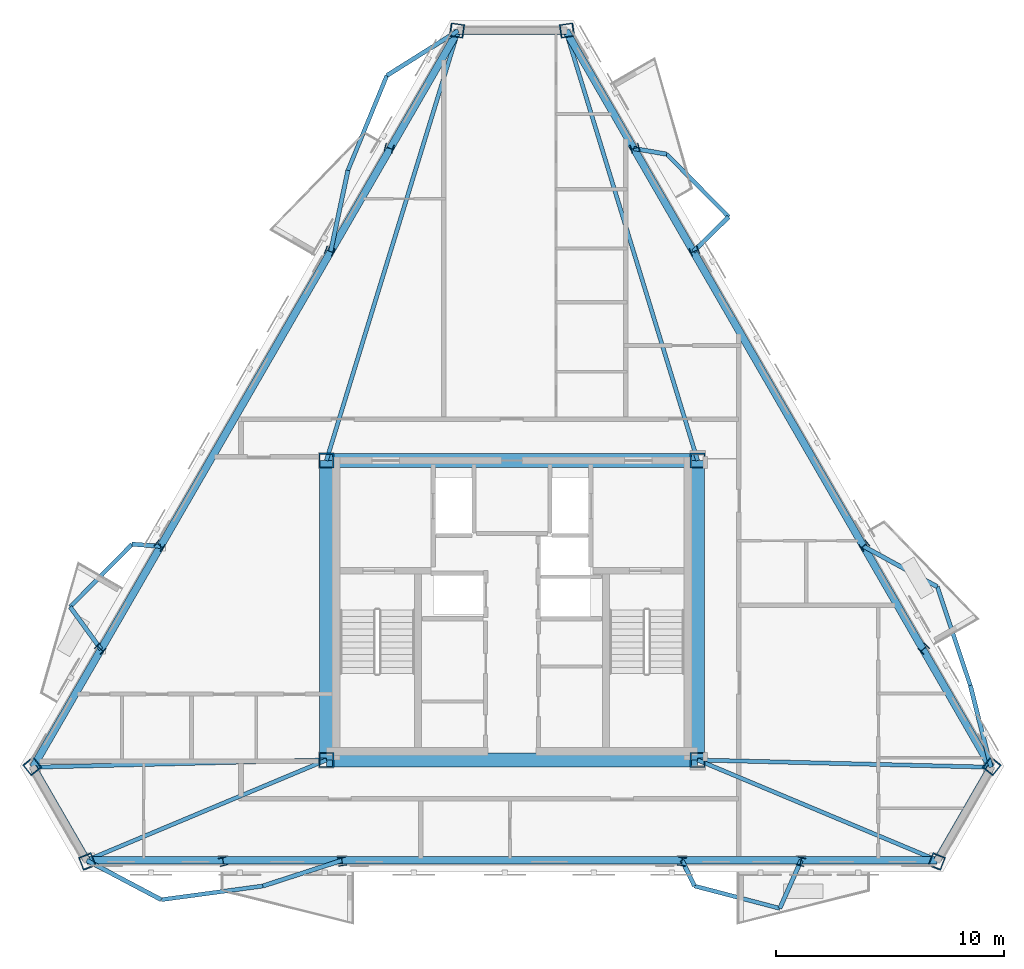
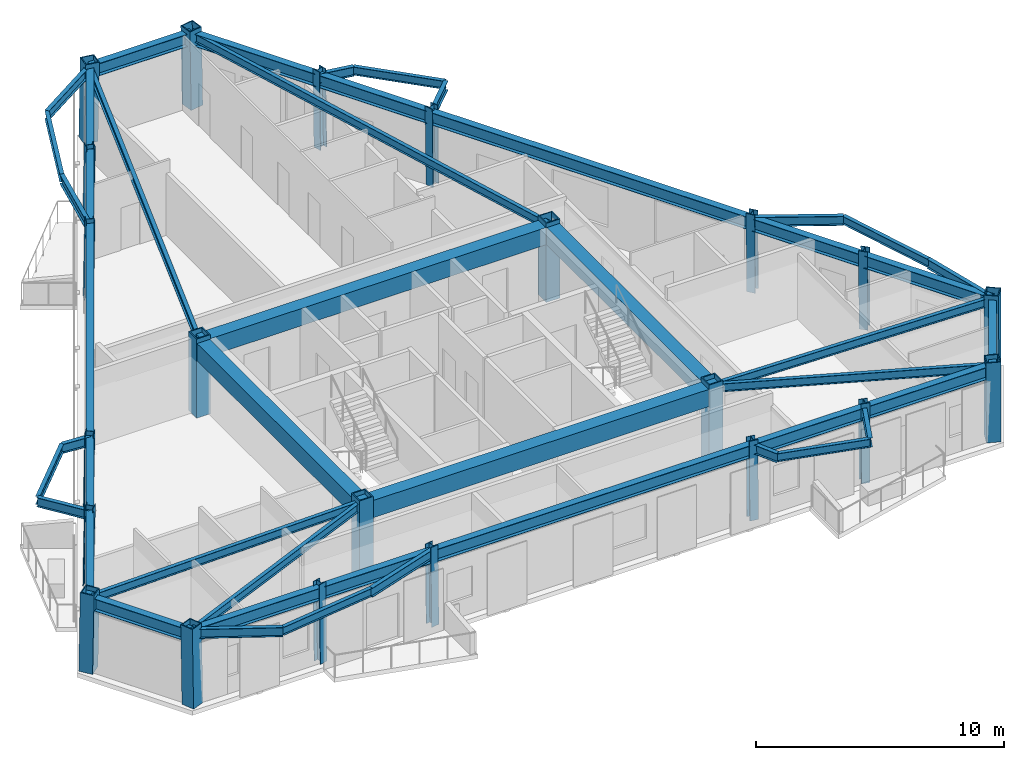
# One storey, part 1 of 9: 46 beams, 22 columns.
"""IFC4 building model written with IfcOpenShell, lengths in metres."""

from ifc_helpers import new_model, si_unit, direction, frame, origin, origin_2d, place, context, subcontext, project, spatial, rectangle, hollow_rectangle, i_section, extrude, material, material_profile, profile_set, type_object, element, save


model = new_model("IFC4")

# Units and contexts
model_context = context("Model", 3, precision=1e-05, world=origin(), true_north=direction((0.0, 1.0)))
body_context = subcontext(model_context, "Body", "Model", "MODEL_VIEW")
ifc_project = project(units=[si_unit("LENGTHUNIT", "METRE"), si_unit("AREAUNIT", "SQUARE_METRE"), si_unit("VOLUMEUNIT", "CUBIC_METRE"), si_unit("PLANEANGLEUNIT", "RADIAN"), si_unit("MASSUNIT", "GRAM", prefix="KILO")], contexts=[model_context])

# Site, building, storey
site_placement = place(None, origin())
site = spatial("IfcSite", under=ifc_project, at=site_placement, CompositionType="ELEMENT")
building_placement = place(site_placement, origin())
building = spatial("IfcBuilding", under=site, at=building_placement, Name="Oramaril Tower", CompositionType="ELEMENT")
storey_placement = place(building_placement, frame((0.0, 0.0, 269.39990234375)))
storey = spatial("IfcBuildingStorey", under=building, at=storey_placement, Name="L71", CompositionType="ELEMENT", Elevation=269.39990234375)

# Columns
ifc_material_1 = material(Name="Steel ASTM A572 Gr 50", Category="steel")
ifc_material_profile_1 = material_profile(ifc_material_1, hollow_rectangle(XDim=0.64990234375, YDim=0.64990234375, WallThickness=0.050048828125, at=origin_2d()), Name="BOX650X650X50")
ifc_profile_set_1 = profile_set([ifc_material_profile_1], Name="Steel ASTM A572 Gr 50")
column_type_1 = type_object("IfcColumnType", Name="CT-CC5", PredefinedType="COLUMN", material=ifc_profile_set_1)
for number, where, z_axis, x_axis, name in (
    (1, (29.35009765625, 11.0, 0.0), (0.0, 0.0, 1.0), (1.0, 0.0, 0.0), "L71 Core Column CC-1"),
    (2, (45.64990234375, 11.0, 0.0), (0.0, 0.0, 1.0), (1.0, 0.0, 0.0), "L71 Core Column CC-2"),
    (3, (45.64990234375, 24.14990234375, 0.0), (0.0, 0.0, 1.0), (1.0, 0.0, 0.0), "L71 Core Column CC-3"),
    (4, (29.35009765625, 24.14990234375, 0.0), (0.0, 0.0, 1.0), (1.0, 0.0, 0.0), "L71 Core Column CC-4"),
):
    element("IfcColumn", number, at=place(storey_placement, frame(where, z_axis=z_axis, x_axis=x_axis)), inside=storey, type_object=column_type_1, Name=name, PredefinedType="COLUMN", context=body_context, shape_type="SweptSolid", body=[
        extrude(hollow_rectangle(XDim=0.64990234375, YDim=0.64990234375, WallThickness=0.050048828125, at=origin_2d()), origin(), (0.0, 0.0, 1.0), 3.900146484375),
    ])
ifc_material_2 = material(Name="Steel ASTM A572 Gr 50", Category="steel")
ifc_material_profile_2 = material_profile(ifc_material_2, hollow_rectangle(XDim=0.60009765625, YDim=0.60009765625, WallThickness=0.044921875, at=origin_2d()), Name="BOX600X600X45")
ifc_profile_set_2 = profile_set([ifc_material_profile_2], Name="Steel ASTM A572 Gr 50")
column_type_2 = type_object("IfcColumnType", Name="CT-TC5", PredefinedType="COLUMN", material=ifc_profile_set_2)
for number, where, z_axis, x_axis, name in (
    (5, (16.42822265625, 10.733154296875, 0.004638671875), (0.010226391035, -0.012861412038, 0.99986499339), (0.782727867859, 0.622364109566, 0.0), "L71 Tube Column TC-01"),
    (6, (18.85205078125, 6.53466796875, 0.004638671875), (-0.006022909049, 0.015245488531, 0.999865640797), (-0.930051989956, -0.367427946649, 0.0), "L71 Tube Column TC-02"),
    (7, (56.14794921875, 6.53466796875, 0.004638671875), (0.006022909049, 0.015245488531, 0.999865640797), (-0.930051989956, 0.367427946649, 0.0), "L71 Tube Column TC-03"),
    (8, (58.57177734375, 10.733154296875, 0.004638671875), (-0.010226391035, -0.012861412038, 0.99986499339), (0.782727867859, -0.622364109566, 0.0), "L71 Tube Column TC-04"),
    (9, (39.923828125, 43.0322265625, 0.004638671875), (-0.016249298391, -0.002384066945, 0.999865129168), (0.145164049408, -0.98940759991, 0.0), "L71 Tube Column TC-05"),
    (10, (35.076171875, 43.0322265625, 0.004638671875), (0.016249298391, -0.002384066945, 0.999865129168), (0.145164049408, 0.98940759991, 0.0), "L71 Tube Column TC-06"),
):
    element("IfcColumn", number, at=place(storey_placement, frame(where, z_axis=z_axis, x_axis=x_axis)), inside=storey, type_object=column_type_2, Name=name, PredefinedType="COLUMN", context=body_context, shape_type="SweptSolid", body=[
        extrude(hollow_rectangle(XDim=0.60009765625, YDim=0.60009765625, WallThickness=0.044921875, at=origin_2d()), origin(), (0.0, 0.0, 1.0), 3.891357421875),
    ])
ifc_material_3 = material(Name="Steel ASTM A572 Gr 50", Category="steel")
ifc_material_profile_3 = material_profile(ifc_material_3, i_section(OverallWidth=0.373046875, OverallDepth=0.373046875, WebThickness=0.016357421875, FlangeThickness=0.026123046875, at=origin_2d()), Name="W14X132")
ifc_profile_set_3 = profile_set([ifc_material_profile_3], Name="Steel ASTM A572 Gr 50")
column_type_3 = type_object("IfcColumnType", Name="CT-TF5", PredefinedType="COLUMN", material=ifc_profile_set_3)
for number, where, z_axis, x_axis, name in (
    (11, (24.8193359375, 6.53466796875, 0.004638671875), (-0.004078051393, 0.015245638284, 0.99987546225), (-0.966036706264, -0.258404880276, 0.0), "L71 Tube Column TC-07"),
    (12, (30.040771484375, 6.53466796875, 0.004638671875), (-0.002384104632, 0.015245721728, 0.999880934919), (-0.987992646494, -0.154500907682, 0.0), "L71 Tube Column TC-08"),
    (13, (44.959228515625, 6.53466796875, 0.004638671875), (0.002384104632, 0.015245721728, 0.999880934919), (-0.987992646494, 0.154500907682, 0.0), "L71 Tube Column TC-09"),
    (14, (50.1806640625, 6.53466796875, 0.004638671875), (0.004078051393, 0.015245638284, 0.99987546225), (-0.966036706264, 0.258404880276, 0.0), "L71 Tube Column TC-10"),
    (15, (55.588134765625, 15.90087890625, 0.004638671875), (-0.011167584825, -0.011167584825, 0.999875277271), (0.707106781187, -0.707106781187, 0.0), "L71 Tube Column TC-11"),
    (16, (52.977294921875, 20.4228515625, 0.004638671875), (-0.011983262451, -0.009724637068, 0.999880909336), (0.630133366333, -0.776486922384, 0.0), "L71 Tube Column TC-12"),
    (17, (45.518310546875, 33.342529296875, 0.004638671875), (-0.01443009767, -0.005583820403, 0.99988028945), (0.360880344311, -0.932612125747, 0.0), "L71 Tube Column TC-13"),
    (18, (42.90771484375, 37.8642578125, 0.004638671875), (-0.015308362863, -0.004078047484, 0.999874503903), (0.257416153679, -0.966300638427, 0.0), "L71 Tube Column TC-14"),
    (19, (32.09228515625, 37.8642578125, 0.004638671875), (0.015308362863, -0.004078047484, 0.999874503903), (0.257416153679, 0.966300638427, 0.0), "L71 Tube Column TC-15"),
    (20, (29.481689453125, 33.342529296875, 0.004638671875), (0.01443009767, -0.005583820403, 0.99988028945), (0.360880344311, 0.932612125747, 0.0), "L71 Tube Column TC-16"),
    (21, (22.022705078125, 20.4228515625, 0.004638671875), (0.011983262451, -0.009724637068, 0.999880909336), (0.630133366333, 0.776486922384, 0.0), "L71 Tube Column TC-17"),
    (22, (19.411865234375, 15.90087890625, 0.004638671875), (0.011167584825, -0.011167584825, 0.999875277271), (0.707106781187, 0.707106781187, 0.0), "L71 Tube Column TC-18"),
):
    element("IfcColumn", number, at=place(storey_placement, frame(where, z_axis=z_axis, x_axis=x_axis)), inside=storey, type_object=column_type_3, Name=name, PredefinedType="COLUMN", context=body_context, shape_type="SweptSolid", body=[
        extrude(i_section(OverallWidth=0.373046875, OverallDepth=0.373046875, WebThickness=0.016357421875, FlangeThickness=0.026123046875, at=origin_2d()), origin(), (0.0, 0.0, 1.0), 3.891357421875),
    ])

# Beams
ifc_material_4 = material(Name="Steel ASTM A572 Gr 50", Category="steel")
ifc_material_profile_4 = material_profile(ifc_material_4, i_section(OverallWidth=0.19091796875, OverallDepth=0.45703125, WebThickness=0.009033203125, FlangeThickness=0.014404296875, at=origin_2d()), Name="W18X50")
ifc_profile_set_4 = profile_set([ifc_material_profile_4], Name="Steel ASTM A572 Gr 50")
beam_type_1 = type_object("IfcBeamType", Name="BT-BB1", PredefinedType="BEAM", material=ifc_profile_set_4)
beam_1_placement = place(storey_placement, frame((18.82861328125, 6.593994140625, 3.45166015625), z_axis=(0.884062224735, -0.467369214644, 0.0), x_axis=(0.467369214644, 0.884062224735, 0.0)))
element("IfcBeam", 23, at=beam_1_placement, inside=storey, type_object=beam_type_1, Name="L71 Balcony Column-Framed Cantilever 01.1", PredefinedType="BEAM", context=body_context, shape_type="SweptSolid", body=[
    extrude(i_section(OverallWidth=0.19091796875, OverallDepth=0.45703125, WebThickness=0.009033203125, FlangeThickness=0.014404296875, at=origin_2d()), origin(), (0.0, 0.0, 1.0), 3.699951171875),
])
beam_2_placement = place(storey_placement, frame((30.031494140625, 6.593994140625, 3.45166015625), z_axis=(-0.951057168147, -0.309014988174, 0.0), x_axis=(0.309014988174, -0.951057168147, 0.0)))
element("IfcBeam", 24, at=beam_2_placement, inside=storey, type_object=beam_type_1, Name="L71 Balcony Column-Framed Cantilever 01.2", PredefinedType="BEAM", context=body_context, shape_type="SweptSolid", body=[
    extrude(i_section(OverallWidth=0.19091796875, OverallDepth=0.45703125, WebThickness=0.009033203125, FlangeThickness=0.014404296875, at=origin_2d()), origin(), (0.0, 0.0, 1.0), 3.650146484375),
])
beam_3_placement = place(storey_placement, frame((44.968505859375, 6.593994140625, 3.45166015625), z_axis=(0.435958037218, -0.89996699372, 0.0), x_axis=(0.89996699372, 0.435958037218, 0.0)))
element("IfcBeam", 25, at=beam_3_placement, inside=storey, type_object=beam_type_1, Name="L71 Balcony Column-Framed Cantilever 02.1", PredefinedType="BEAM", context=body_context, shape_type="SweptSolid", body=[
    extrude(i_section(OverallWidth=0.19091796875, OverallDepth=0.45703125, WebThickness=0.009033203125, FlangeThickness=0.014404296875, at=origin_2d()), origin(), (0.0, 0.0, 1.0), 1.25341796875),
])
beam_4_placement = place(storey_placement, frame((50.196533203125, 6.593994140625, 3.45166015625), z_axis=(-0.406374107637, -0.91370678264, 0.0), x_axis=(0.91370678264, -0.406374107637, 0.0)))
element("IfcBeam", 26, at=beam_4_placement, inside=storey, type_object=beam_type_1, Name="L71 Balcony Column-Framed Cantilever 02.2", PredefinedType="BEAM", context=body_context, shape_type="SweptSolid", body=[
    extrude(i_section(OverallWidth=0.19091796875, OverallDepth=0.45703125, WebThickness=0.009033203125, FlangeThickness=0.014404296875, at=origin_2d()), origin(), (0.0, 0.0, 1.0), 2.306884765625),
])
for number, where, z_axis, x_axis, name in (
    (27, (58.531982421875, 10.68310546875, 3.45166015625), (-0.245329243552, 0.969439818791, 0.0), (-0.969439818791, -0.245329243552, 0.0), "L71 Balcony Column-Framed Cantilever 03.1"),
    (28, (52.9306640625, 20.385009765625, 3.45166015625), (0.876854581944, -0.480755699003, 0.0), (0.480755699003, 0.876854581944, 0.0), "L71 Balcony Column-Framed Cantilever 03.2"),
):
    element("IfcBeam", number, at=place(storey_placement, frame(where, z_axis=z_axis, x_axis=x_axis)), inside=storey, type_object=beam_type_1, Name=name, PredefinedType="BEAM", context=body_context, shape_type="SweptSolid", body=[
        extrude(i_section(OverallWidth=0.19091796875, OverallDepth=0.45703125, WebThickness=0.009033203125, FlangeThickness=0.014404296875, at=origin_2d()), origin(), (0.0, 0.0, 1.0), 3.699951171875),
    ])
beam_5_placement = place(storey_placement, frame((45.462158203125, 33.32080078125, 3.45166015625), z_axis=(0.712801322013, 0.701366006687, 0.0), x_axis=(-0.701366006687, 0.712801322013, 0.0)))
element("IfcBeam", 29, at=beam_5_placement, inside=storey, type_object=beam_type_1, Name="L71 Balcony Column-Framed Cantilever 04.1", PredefinedType="BEAM", context=body_context, shape_type="SweptSolid", body=[
    extrude(i_section(OverallWidth=0.19091796875, OverallDepth=0.45703125, WebThickness=0.009033203125, FlangeThickness=0.014404296875, at=origin_2d()), origin(), (0.0, 0.0, 1.0), 2.177734375),
])
beam_6_placement = place(storey_placement, frame((42.84814453125, 37.848388671875, 3.45166015625), z_axis=(0.985623046851, -0.168959194824, 0.0), x_axis=(0.168959194824, 0.985623046851, 0.0)))
element("IfcBeam", 30, at=beam_6_placement, inside=storey, type_object=beam_type_1, Name="L71 Balcony Column-Framed Cantilever 04.2", PredefinedType="BEAM", context=body_context, shape_type="SweptSolid", body=[
    extrude(i_section(OverallWidth=0.19091796875, OverallDepth=0.45703125, WebThickness=0.009033203125, FlangeThickness=0.014404296875, at=origin_2d()), origin(), (0.0, 0.0, 1.0), 1.466552734375),
])
beam_7_placement = place(storey_placement, frame((35.139404296875, 43.02294921875, 3.45166015625), z_axis=(-0.846787701585, -0.531930999702, 0.0), x_axis=(0.531930999702, -0.846787701585, 0.0)))
element("IfcBeam", 31, at=beam_7_placement, inside=storey, type_object=beam_type_1, Name="L71 Balcony Column-Framed Cantilever 05.1", PredefinedType="BEAM", context=body_context, shape_type="SweptSolid", body=[
    extrude(i_section(OverallWidth=0.19091796875, OverallDepth=0.45703125, WebThickness=0.009033203125, FlangeThickness=0.014404296875, at=origin_2d()), origin(), (0.0, 0.0, 1.0), 3.7001953125),
])
beam_8_placement = place(storey_placement, frame((29.537841796875, 33.32080078125, 3.45166015625), z_axis=(0.207870754456, 0.978156301131, 0.0), x_axis=(-0.978156301131, 0.207870754456, 0.0)))
element("IfcBeam", 32, at=beam_8_placement, inside=storey, type_object=beam_type_1, Name="L71 Balcony Column-Framed Cantilever 05.2", PredefinedType="BEAM", context=body_context, shape_type="SweptSolid", body=[
    extrude(i_section(OverallWidth=0.19091796875, OverallDepth=0.45703125, WebThickness=0.009033203125, FlangeThickness=0.014404296875, at=origin_2d()), origin(), (0.0, 0.0, 1.0), 3.650390625),
])
beam_9_placement = place(storey_placement, frame((22.0693359375, 20.385009765625, 3.45166015625), z_axis=(-0.997371961706, 0.072451155976, 0.0), x_axis=(-0.072451155976, -0.997371961706, 0.0)))
element("IfcBeam", 33, at=beam_9_placement, inside=storey, type_object=beam_type_1, Name="L71 Balcony Column-Framed Cantilever 06.1", PredefinedType="BEAM", context=body_context, shape_type="SweptSolid", body=[
    extrude(i_section(OverallWidth=0.19091796875, OverallDepth=0.45703125, WebThickness=0.009033203125, FlangeThickness=0.014404296875, at=origin_2d()), origin(), (0.0, 0.0, 1.0), 1.25341796875),
])
beam_10_placement = place(storey_placement, frame((19.455322265625, 15.857421875, 3.45166015625), z_axis=(-0.588133945908, 0.808763538787, 0.0), x_axis=(-0.808763538787, -0.588133945908, 0.0)))
element("IfcBeam", 34, at=beam_10_placement, inside=storey, type_object=beam_type_1, Name="L71 Balcony Column-Framed Cantilever 06.2", PredefinedType="BEAM", context=body_context, shape_type="SweptSolid", body=[
    extrude(i_section(OverallWidth=0.19091796875, OverallDepth=0.45703125, WebThickness=0.009033203125, FlangeThickness=0.014404296875, at=origin_2d()), origin(), (0.0, 0.0, 1.0), 2.30712890625),
])
ifc_material_5 = material(Name="Concrete C50/60", Category="concrete")
ifc_material_profile_5 = material_profile(ifc_material_5, rectangle(XDim=0.60009765625, YDim=0.85009765625, at=origin_2d()), Name="CB600X850")
ifc_profile_set_5 = profile_set([ifc_material_profile_5], Name="Concrete C50/60")
beam_type_2 = type_object("IfcBeamType", Name="BT-CB2", PredefinedType="BEAM", material=ifc_profile_set_5)
beam_11_placement = place(storey_placement, frame((29.35009765625, 11.0, 3.255126953125), z_axis=(1.0, 0.0, 0.0), x_axis=(0.0, 1.0, 0.0)))
element("IfcBeam", 35, at=beam_11_placement, inside=storey, type_object=beam_type_2, Name="L71 Core Header Beam CB-1", PredefinedType="BEAM", context=body_context, shape_type="SweptSolid", body=[
    extrude(rectangle(XDim=0.60009765625, YDim=0.85009765625, at=origin_2d()), origin(), (0.0, 0.0, 1.0), 16.2998046875),
])
beam_12_placement = place(storey_placement, frame((45.64990234375, 11.0, 3.255126953125), z_axis=(0.0, 1.0, 0.0), x_axis=(-1.0, 0.0, 0.0)))
element("IfcBeam", 36, at=beam_12_placement, inside=storey, type_object=beam_type_2, Name="L71 Core Header Beam CB-2", PredefinedType="BEAM", context=body_context, shape_type="SweptSolid", body=[
    extrude(rectangle(XDim=0.60009765625, YDim=0.85009765625, at=origin_2d()), origin(), (0.0, 0.0, 1.0), 13.14990234375),
])
beam_13_placement = place(storey_placement, frame((45.64990234375, 24.14990234375, 3.255126953125), z_axis=(-1.0, 0.0, 0.0), x_axis=(0.0, -1.0, 0.0)))
element("IfcBeam", 37, at=beam_13_placement, inside=storey, type_object=beam_type_2, Name="L71 Core Header Beam CB-3", PredefinedType="BEAM", context=body_context, shape_type="SweptSolid", body=[
    extrude(rectangle(XDim=0.60009765625, YDim=0.85009765625, at=origin_2d()), origin(), (0.0, 0.0, 1.0), 16.2998046875),
])
beam_14_placement = place(storey_placement, frame((29.35009765625, 24.14990234375, 3.255126953125), z_axis=(0.0, -1.0, 0.0), x_axis=(1.0, 0.0, 0.0)))
element("IfcBeam", 38, at=beam_14_placement, inside=storey, type_object=beam_type_2, Name="L71 Core Header Beam CB-4", PredefinedType="BEAM", context=body_context, shape_type="SweptSolid", body=[
    extrude(rectangle(XDim=0.60009765625, YDim=0.85009765625, at=origin_2d()), origin(), (0.0, 0.0, 1.0), 13.14990234375),
])
ifc_material_6 = material(Name="Steel ASTM A572 Gr 50", Category="steel")
ifc_material_profile_6 = material_profile(ifc_material_6, i_section(OverallWidth=0.177978515625, OverallDepth=0.404052734375, WebThickness=0.007568359375, FlangeThickness=0.010986328125, at=origin_2d()), Name="W16X36")
ifc_profile_set_6 = profile_set([ifc_material_profile_6], Name="Steel ASTM A572 Gr 50")
beam_type_3 = type_object("IfcBeamType", Name="BT-SB1", PredefinedType="BEAM", material=ifc_profile_set_6)
beam_15_placement = place(storey_placement, frame((29.35009765625, 11.0, 3.47802734375), z_axis=(-0.999697566113, -0.024592200148, 0.0), x_axis=(0.024592200148, -0.999697566113, 0.0)))
element("IfcBeam", 39, at=beam_15_placement, inside=storey, type_object=beam_type_3, Name="L71 Radial Primary Beam RB-01", PredefinedType="BEAM", context=body_context, shape_type="SweptSolid", body=[
    extrude(i_section(OverallWidth=0.177978515625, OverallDepth=0.404052734375, WebThickness=0.007568359375, FlangeThickness=0.010986328125, at=origin_2d()), origin(), (0.0, 0.0, 1.0), 12.885986328125),
])
for number, where, z_axis, x_axis, name in (
    (40, (29.35009765625, 11.0, 3.47802734375), (-0.922389033302, -0.386262179413, 0.0), (0.386262179413, -0.922389033302, 0.0), "L71 Radial Primary Beam RB-02"),
    (41, (45.64990234375, 11.0, 3.47802734375), (0.922389033302, -0.386262179413, 0.0), (0.386262179413, 0.922389033302, 0.0), "L71 Radial Primary Beam RB-03"),
):
    element("IfcBeam", number, at=place(storey_placement, frame(where, z_axis=z_axis, x_axis=x_axis)), inside=storey, type_object=beam_type_3, Name=name, PredefinedType="BEAM", context=body_context, shape_type="SweptSolid", body=[
        extrude(i_section(OverallWidth=0.177978515625, OverallDepth=0.404052734375, WebThickness=0.007568359375, FlangeThickness=0.010986328125, at=origin_2d()), origin(), (0.0, 0.0, 1.0), 11.40673828125),
    ])
beam_16_placement = place(storey_placement, frame((45.64990234375, 11.0, 3.47802734375), z_axis=(0.999697566113, -0.024592200148, 0.0), x_axis=(0.024592200148, 0.999697566113, 0.0)))
element("IfcBeam", 42, at=beam_16_placement, inside=storey, type_object=beam_type_3, Name="L71 Radial Primary Beam RB-04", PredefinedType="BEAM", context=body_context, shape_type="SweptSolid", body=[
    extrude(i_section(OverallWidth=0.177978515625, OverallDepth=0.404052734375, WebThickness=0.007568359375, FlangeThickness=0.010986328125, at=origin_2d()), origin(), (0.0, 0.0, 1.0), 12.885986328125),
])
for number, where, z_axis, x_axis, name in (
    (43, (45.64990234375, 24.14990234375, 3.47802734375), (-0.293262754642, 0.956031880608, 0.0), (-0.956031880608, -0.293262754642, 0.0), "L71 Radial Primary Beam RB-05"),
    (44, (29.35009765625, 24.14990234375, 3.47802734375), (0.293262754642, 0.956031880608, 0.0), (-0.956031880608, 0.293262754642, 0.0), "L71 Radial Primary Beam RB-06"),
):
    element("IfcBeam", number, at=place(storey_placement, frame(where, z_axis=z_axis, x_axis=x_axis)), inside=storey, type_object=beam_type_3, Name=name, PredefinedType="BEAM", context=body_context, shape_type="SweptSolid", body=[
        extrude(i_section(OverallWidth=0.177978515625, OverallDepth=0.404052734375, WebThickness=0.007568359375, FlangeThickness=0.010986328125, at=origin_2d()), origin(), (0.0, 0.0, 1.0), 19.740966796875),
    ])
beam_17_placement = place(storey_placement, frame((22.099609375, 4.86474609375, 3.47802734375), z_axis=(0.991034989293, 0.1336025823, 0.0), x_axis=(-0.1336025823, 0.991034989293, 0.0)))
element("IfcBeam", 45, at=beam_17_placement, inside=storey, type_object=beam_type_3, Name="L71 Balcony Edge Tie Beam 01", PredefinedType="BEAM", context=body_context, shape_type="SweptSolid", body=[
    extrude(i_section(OverallWidth=0.177978515625, OverallDepth=0.404052734375, WebThickness=0.007568359375, FlangeThickness=0.010986328125, at=origin_2d()), origin(), (0.0, 0.0, 1.0), 4.500732421875),
])
beam_18_placement = place(storey_placement, frame((45.514892578125, 5.466064453125, 3.47802734375), z_axis=(0.967411967632, -0.253207592467, 0.0), x_axis=(0.253207592467, 0.967411967632, 0.0)))
element("IfcBeam", 46, at=beam_18_placement, inside=storey, type_object=beam_type_3, Name="L71 Balcony Edge Tie Beam 02", PredefinedType="BEAM", context=body_context, shape_type="SweptSolid", body=[
    extrude(i_section(OverallWidth=0.177978515625, OverallDepth=0.404052734375, WebThickness=0.007568359375, FlangeThickness=0.010986328125, at=origin_2d()), origin(), (0.0, 0.0, 1.0), 3.870361328125),
])
beam_19_placement = place(storey_placement, frame((57.624267578125, 14.27001953125, 3.47802734375), z_axis=(-0.31698060215, 0.948432020685, 0.0), x_axis=(-0.948432020685, -0.31698060215, 0.0)))
element("IfcBeam", 47, at=beam_19_placement, inside=storey, type_object=beam_type_3, Name="L71 Balcony Edge Tie Beam 03", PredefinedType="BEAM", context=body_context, shape_type="SweptSolid", body=[
    extrude(i_section(OverallWidth=0.177978515625, OverallDepth=0.404052734375, WebThickness=0.007568359375, FlangeThickness=0.010986328125, at=origin_2d()), origin(), (0.0, 0.0, 1.0), 4.572021484375),
])
beam_20_placement = place(storey_placement, frame((47.014404296875, 34.84814453125, 3.47802734375), z_axis=(-0.702994511648, 0.71119527318, 0.0), x_axis=(-0.71119527318, -0.702994511648, 0.0)))
element("IfcBeam", 48, at=beam_20_placement, inside=storey, type_object=beam_type_3, Name="L71 Balcony Edge Tie Beam 04", PredefinedType="BEAM", context=body_context, shape_type="SweptSolid", body=[
    extrude(i_section(OverallWidth=0.177978515625, OverallDepth=0.404052734375, WebThickness=0.007568359375, FlangeThickness=0.010986328125, at=origin_2d()), origin(), (0.0, 0.0, 1.0), 3.8701171875),
])
beam_21_placement = place(storey_placement, frame((32.006103515625, 41.0546875, 3.47802734375), z_axis=(-0.379830164168, -0.925056239581, 0.0), x_axis=(0.925056239581, -0.379830164168, 0.0)))
element("IfcBeam", 49, at=beam_21_placement, inside=storey, type_object=beam_type_3, Name="L71 Balcony Edge Tie Beam 05", PredefinedType="BEAM", context=body_context, shape_type="SweptSolid", body=[
    extrude(i_section(OverallWidth=0.177978515625, OverallDepth=0.404052734375, WebThickness=0.007568359375, FlangeThickness=0.010986328125, at=origin_2d()), origin(), (0.0, 0.0, 1.0), 4.500732421875),
])
beam_22_placement = place(storey_placement, frame((20.819091796875, 20.475830078125, 3.47802734375), z_axis=(-0.702994511648, -0.71119527318, 0.0), x_axis=(0.71119527318, -0.702994511648, 0.0)))
element("IfcBeam", 50, at=beam_22_placement, inside=storey, type_object=beam_type_3, Name="L71 Balcony Edge Tie Beam 06", PredefinedType="BEAM", context=body_context, shape_type="SweptSolid", body=[
    extrude(i_section(OverallWidth=0.177978515625, OverallDepth=0.404052734375, WebThickness=0.007568359375, FlangeThickness=0.010986328125, at=origin_2d()), origin(), (0.0, 0.0, 1.0), 3.8701171875),
])
ifc_material_7 = material(Name="Steel ASTM A572 Gr 50", Category="steel")
ifc_material_profile_7 = material_profile(ifc_material_7, i_section(OverallWidth=0.324951171875, OverallDepth=0.612060546875, WebThickness=0.0126953125, FlangeThickness=0.01904296875, at=origin_2d()), Name="W24X104")
ifc_profile_set_7 = profile_set([ifc_material_profile_7], Name="Steel ASTM A572 Gr 50")
beam_type_4 = type_object("IfcBeamType", Name="BT-SP5", PredefinedType="SPANDREL", material=ifc_profile_set_7)
beam_23_placement = place(storey_placement, frame((16.468017578125, 10.68310546875, 3.3740234375), z_axis=(0.499959680857, -0.866048680801, 0.0), x_axis=(0.866048680801, 0.499959680857, 0.0)))
element("IfcBeam", 51, at=beam_23_placement, inside=storey, type_object=beam_type_4, Name="L71 Perimeter Spandrel 01", PredefinedType="SPANDREL", context=body_context, shape_type="SweptSolid", body=[
    extrude(i_section(OverallWidth=0.324951171875, OverallDepth=0.612060546875, WebThickness=0.0126953125, FlangeThickness=0.01904296875, at=origin_2d()), origin(), (0.0, 0.0, 1.0), 4.7216796875),
])
beam_24_placement = place(storey_placement, frame((18.82861328125, 6.593994140625, 3.3740234375), z_axis=(1.0, 0.0, 0.0), x_axis=(0.0, 1.0, 0.0)))
element("IfcBeam", 52, at=beam_24_placement, inside=storey, type_object=beam_type_4, Name="L71 Perimeter Spandrel 02", PredefinedType="SPANDREL", context=body_context, shape_type="SweptSolid", body=[
    extrude(i_section(OverallWidth=0.324951171875, OverallDepth=0.612060546875, WebThickness=0.0126953125, FlangeThickness=0.01904296875, at=origin_2d()), origin(), (0.0, 0.0, 1.0), 5.974853515625),
])
beam_25_placement = place(storey_placement, frame((24.803466796875, 6.593994140625, 3.3740234375), z_axis=(1.0, 0.0, 0.0), x_axis=(0.0, 1.0, 0.0)))
element("IfcBeam", 53, at=beam_25_placement, inside=storey, type_object=beam_type_4, Name="L71 Perimeter Spandrel 03", PredefinedType="SPANDREL", context=body_context, shape_type="SweptSolid", body=[
    extrude(i_section(OverallWidth=0.324951171875, OverallDepth=0.612060546875, WebThickness=0.0126953125, FlangeThickness=0.01904296875, at=origin_2d()), origin(), (0.0, 0.0, 1.0), 5.22802734375),
])
beam_26_placement = place(storey_placement, frame((30.031494140625, 6.593994140625, 3.3740234375), z_axis=(1.0, 0.0, 0.0), x_axis=(0.0, 1.0, 0.0)))
element("IfcBeam", 54, at=beam_26_placement, inside=storey, type_object=beam_type_4, Name="L71 Perimeter Spandrel 04", PredefinedType="SPANDREL", context=body_context, shape_type="SweptSolid", body=[
    extrude(i_section(OverallWidth=0.324951171875, OverallDepth=0.612060546875, WebThickness=0.0126953125, FlangeThickness=0.01904296875, at=origin_2d()), origin(), (0.0, 0.0, 1.0), 14.93701171875),
])
beam_27_placement = place(storey_placement, frame((44.968505859375, 6.593994140625, 3.3740234375), z_axis=(1.0, 0.0, 0.0), x_axis=(0.0, 1.0, 0.0)))
element("IfcBeam", 55, at=beam_27_placement, inside=storey, type_object=beam_type_4, Name="L71 Perimeter Spandrel 05", PredefinedType="SPANDREL", context=body_context, shape_type="SweptSolid", body=[
    extrude(i_section(OverallWidth=0.324951171875, OverallDepth=0.612060546875, WebThickness=0.0126953125, FlangeThickness=0.01904296875, at=origin_2d()), origin(), (0.0, 0.0, 1.0), 5.22802734375),
])
beam_28_placement = place(storey_placement, frame((50.196533203125, 6.593994140625, 3.3740234375), z_axis=(1.0, 0.0, 0.0), x_axis=(0.0, 1.0, 0.0)))
element("IfcBeam", 56, at=beam_28_placement, inside=storey, type_object=beam_type_4, Name="L71 Perimeter Spandrel 06", PredefinedType="SPANDREL", context=body_context, shape_type="SweptSolid", body=[
    extrude(i_section(OverallWidth=0.324951171875, OverallDepth=0.612060546875, WebThickness=0.0126953125, FlangeThickness=0.01904296875, at=origin_2d()), origin(), (0.0, 0.0, 1.0), 5.974853515625),
])
beam_29_placement = place(storey_placement, frame((56.17138671875, 6.593994140625, 3.3740234375), z_axis=(0.499959680857, 0.866048680801, 0.0), x_axis=(-0.866048680801, 0.499959680857, 0.0)))
element("IfcBeam", 57, at=beam_29_placement, inside=storey, type_object=beam_type_4, Name="L71 Perimeter Spandrel 07", PredefinedType="SPANDREL", context=body_context, shape_type="SweptSolid", body=[
    extrude(i_section(OverallWidth=0.324951171875, OverallDepth=0.612060546875, WebThickness=0.0126953125, FlangeThickness=0.01904296875, at=origin_2d()), origin(), (0.0, 0.0, 1.0), 4.7216796875),
])
beam_30_placement = place(storey_placement, frame((58.531982421875, 10.68310546875, 3.3740234375), z_axis=(-0.499988917992, 0.86603180189, 0.0), x_axis=(-0.86603180189, -0.499988917992, 0.0)))
element("IfcBeam", 58, at=beam_30_placement, inside=storey, type_object=beam_type_4, Name="L71 Perimeter Spandrel 08", PredefinedType="SPANDREL", context=body_context, shape_type="SweptSolid", body=[
    extrude(i_section(OverallWidth=0.324951171875, OverallDepth=0.612060546875, WebThickness=0.0126953125, FlangeThickness=0.01904296875, at=origin_2d()), origin(), (0.0, 0.0, 1.0), 5.974853515625),
])
beam_31_placement = place(storey_placement, frame((55.544677734375, 15.857421875, 3.3740234375), z_axis=(-0.500001374964, 0.866024609947, 0.0), x_axis=(-0.866024609947, -0.500001374964, 0.0)))
element("IfcBeam", 59, at=beam_31_placement, inside=storey, type_object=beam_type_4, Name="L71 Perimeter Spandrel 09", PredefinedType="SPANDREL", context=body_context, shape_type="SweptSolid", body=[
    extrude(i_section(OverallWidth=0.324951171875, OverallDepth=0.612060546875, WebThickness=0.0126953125, FlangeThickness=0.01904296875, at=origin_2d()), origin(), (0.0, 0.0, 1.0), 5.22802734375),
])
beam_32_placement = place(storey_placement, frame((52.9306640625, 20.385009765625, 3.3740234375), z_axis=(-0.50000117666, 0.866024724439, 0.0), x_axis=(-0.866024724439, -0.50000117666, 0.0)))
element("IfcBeam", 60, at=beam_32_placement, inside=storey, type_object=beam_type_4, Name="L71 Perimeter Spandrel 10", PredefinedType="SPANDREL", context=body_context, shape_type="SweptSolid", body=[
    extrude(i_section(OverallWidth=0.324951171875, OverallDepth=0.612060546875, WebThickness=0.0126953125, FlangeThickness=0.01904296875, at=origin_2d()), origin(), (0.0, 0.0, 1.0), 14.93701171875),
])
beam_33_placement = place(storey_placement, frame((45.462158203125, 33.32080078125, 3.3740234375), z_axis=(-0.500001374964, 0.866024609947, 0.0), x_axis=(-0.866024609947, -0.500001374964, 0.0)))
element("IfcBeam", 61, at=beam_33_placement, inside=storey, type_object=beam_type_4, Name="L71 Perimeter Spandrel 11", PredefinedType="SPANDREL", context=body_context, shape_type="SweptSolid", body=[
    extrude(i_section(OverallWidth=0.324951171875, OverallDepth=0.612060546875, WebThickness=0.0126953125, FlangeThickness=0.01904296875, at=origin_2d()), origin(), (0.0, 0.0, 1.0), 5.22802734375),
])
beam_34_placement = place(storey_placement, frame((42.84814453125, 37.848388671875, 3.3740234375), z_axis=(-0.500001870701, 0.866024323732, 0.0), x_axis=(-0.866024323732, -0.500001870701, 0.0)))
element("IfcBeam", 62, at=beam_34_placement, inside=storey, type_object=beam_type_4, Name="L71 Perimeter Spandrel 12", PredefinedType="SPANDREL", context=body_context, shape_type="SweptSolid", body=[
    extrude(i_section(OverallWidth=0.324951171875, OverallDepth=0.612060546875, WebThickness=0.0126953125, FlangeThickness=0.01904296875, at=origin_2d()), origin(), (0.0, 0.0, 1.0), 5.97509765625),
])
beam_35_placement = place(storey_placement, frame((39.860595703125, 43.02294921875, 3.3740234375), z_axis=(-1.0, 0.0, 0.0), x_axis=(0.0, -1.0, 0.0)))
element("IfcBeam", 63, at=beam_35_placement, inside=storey, type_object=beam_type_4, Name="L71 Perimeter Spandrel 13", PredefinedType="SPANDREL", context=body_context, shape_type="SweptSolid", body=[
    extrude(i_section(OverallWidth=0.324951171875, OverallDepth=0.612060546875, WebThickness=0.0126953125, FlangeThickness=0.01904296875, at=origin_2d()), origin(), (0.0, 0.0, 1.0), 4.72119140625),
])
beam_36_placement = place(storey_placement, frame((35.139404296875, 43.02294921875, 3.3740234375), z_axis=(-0.500001870701, -0.866024323732, 0.0), x_axis=(0.866024323732, -0.500001870701, 0.0)))
element("IfcBeam", 64, at=beam_36_placement, inside=storey, type_object=beam_type_4, Name="L71 Perimeter Spandrel 14", PredefinedType="SPANDREL", context=body_context, shape_type="SweptSolid", body=[
    extrude(i_section(OverallWidth=0.324951171875, OverallDepth=0.612060546875, WebThickness=0.0126953125, FlangeThickness=0.01904296875, at=origin_2d()), origin(), (0.0, 0.0, 1.0), 5.97509765625),
])
beam_37_placement = place(storey_placement, frame((32.15185546875, 37.848388671875, 3.3740234375), z_axis=(-0.500001374964, -0.866024609947, 0.0), x_axis=(0.866024609947, -0.500001374964, 0.0)))
element("IfcBeam", 65, at=beam_37_placement, inside=storey, type_object=beam_type_4, Name="L71 Perimeter Spandrel 15", PredefinedType="SPANDREL", context=body_context, shape_type="SweptSolid", body=[
    extrude(i_section(OverallWidth=0.324951171875, OverallDepth=0.612060546875, WebThickness=0.0126953125, FlangeThickness=0.01904296875, at=origin_2d()), origin(), (0.0, 0.0, 1.0), 5.22802734375),
])
beam_38_placement = place(storey_placement, frame((29.537841796875, 33.32080078125, 3.3740234375), z_axis=(-0.50000117666, -0.866024724439, 0.0), x_axis=(0.866024724439, -0.50000117666, 0.0)))
element("IfcBeam", 66, at=beam_38_placement, inside=storey, type_object=beam_type_4, Name="L71 Perimeter Spandrel 16", PredefinedType="SPANDREL", context=body_context, shape_type="SweptSolid", body=[
    extrude(i_section(OverallWidth=0.324951171875, OverallDepth=0.612060546875, WebThickness=0.0126953125, FlangeThickness=0.01904296875, at=origin_2d()), origin(), (0.0, 0.0, 1.0), 14.93701171875),
])
beam_39_placement = place(storey_placement, frame((22.0693359375, 20.385009765625, 3.3740234375), z_axis=(-0.500001374964, -0.866024609947, 0.0), x_axis=(0.866024609947, -0.500001374964, 0.0)))
element("IfcBeam", 67, at=beam_39_placement, inside=storey, type_object=beam_type_4, Name="L71 Perimeter Spandrel 17", PredefinedType="SPANDREL", context=body_context, shape_type="SweptSolid", body=[
    extrude(i_section(OverallWidth=0.324951171875, OverallDepth=0.612060546875, WebThickness=0.0126953125, FlangeThickness=0.01904296875, at=origin_2d()), origin(), (0.0, 0.0, 1.0), 5.22802734375),
])
beam_40_placement = place(storey_placement, frame((19.455322265625, 15.857421875, 3.3740234375), z_axis=(-0.499988917992, -0.86603180189, 0.0), x_axis=(0.86603180189, -0.499988917992, 0.0)))
element("IfcBeam", 68, at=beam_40_placement, inside=storey, type_object=beam_type_4, Name="L71 Perimeter Spandrel 18", PredefinedType="SPANDREL", context=body_context, shape_type="SweptSolid", body=[
    extrude(i_section(OverallWidth=0.324951171875, OverallDepth=0.612060546875, WebThickness=0.0126953125, FlangeThickness=0.01904296875, at=origin_2d()), origin(), (0.0, 0.0, 1.0), 5.974853515625),
])

save(model, "model.ifc")
